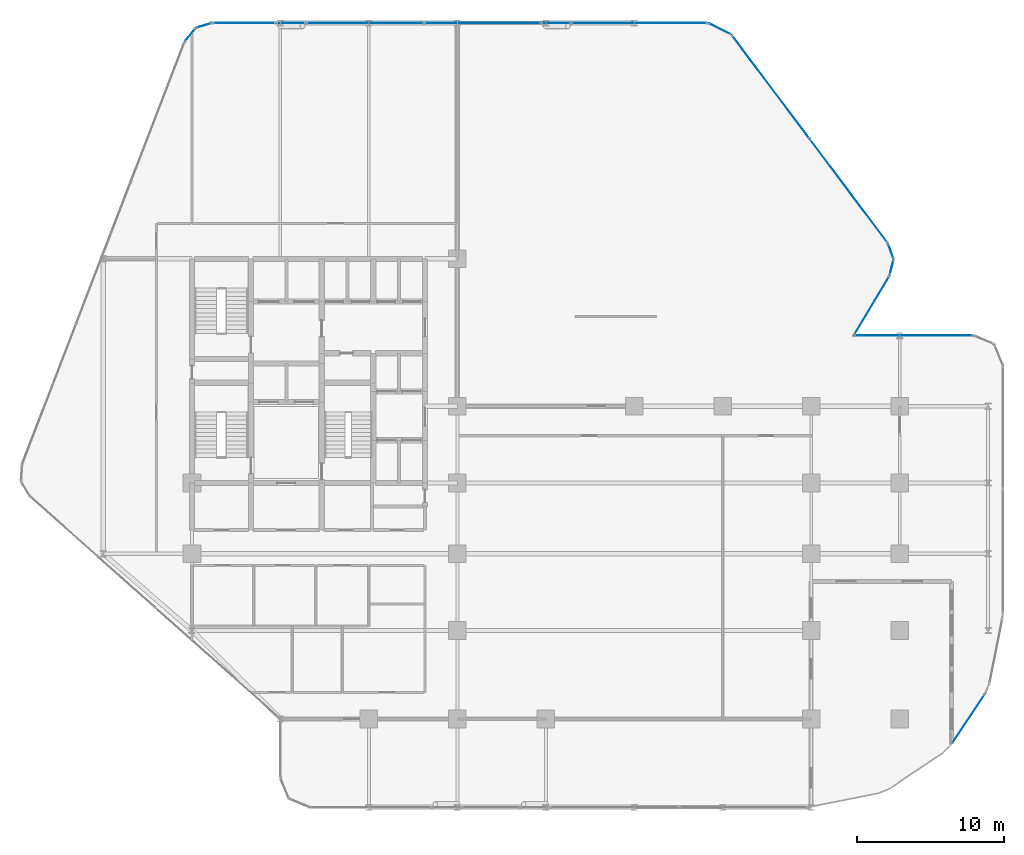
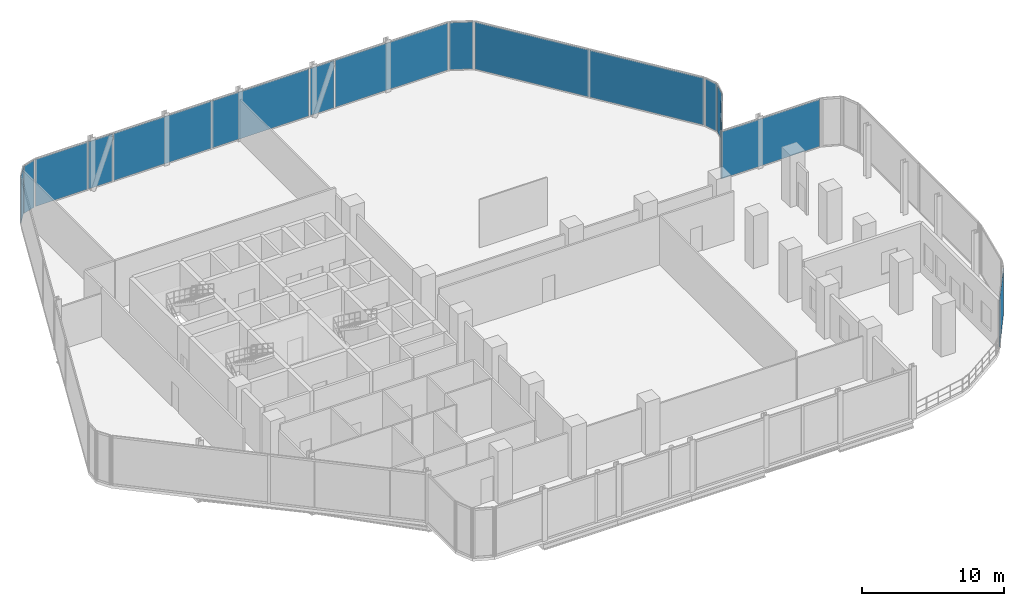
# One storey, part 24 of 30: 16 plates, 14 elements without a shape of their own.
"""IFC4 building model written with IfcOpenShell, lengths in metres."""

from ifc_helpers import new_model, si_unit, direction, frame, origin, origin_2d, place, context, subcontext, project, spatial, rectangle, extrude, material, layer, layer_set, type_object, element, aggregate, save


model = new_model("IFC4")

# Units and contexts
model_context = context("Model", 3, precision=1e-05, world=origin(), true_north=direction((0.0, 1.0)))
body_context = subcontext(model_context, "Body", "Model", "MODEL_VIEW")
ifc_project = project(units=[si_unit("LENGTHUNIT", "METRE"), si_unit("AREAUNIT", "SQUARE_METRE"), si_unit("VOLUMEUNIT", "CUBIC_METRE"), si_unit("PLANEANGLEUNIT", "RADIAN"), si_unit("MASSUNIT", "GRAM", prefix="KILO")], contexts=[model_context])

# Site, building, storey
site_placement = place(None, origin())
site = spatial("IfcSite", under=ifc_project, at=site_placement, CompositionType="ELEMENT")
building_placement = place(site_placement, origin())
building = spatial("IfcBuilding", under=site, at=building_placement, Name="Keshet Zoharim Tower", CompositionType="ELEMENT")
storey_placement = place(building_placement, frame((0.0, 0.0, 65.60009765625)))
storey = spatial("IfcBuildingStorey", under=building, at=storey_placement, Name="L15", CompositionType="ELEMENT", Elevation=65.60009765625)

# Curtain wall, plate
ifc_material_1 = material(Name="Aluminium 6063-T6", Category="aluminium")
ifc_layer_1 = layer(ifc_material_1, 0.179931640625)
ifc_layer_set_1 = layer_set([ifc_layer_1], Name="Aluminium 6063-T6")
curtain_wall_type_1 = type_object("IfcCurtainWallType", Name="CW-SYS-01", PredefinedType="NOTDEFINED", material=ifc_layer_set_1)
curtain_wall_1_placement = place(storey_placement, origin())
curtain_wall_1 = element("IfcCurtainWall", 1, at=curtain_wall_1_placement, inside=storey, type_object=curtain_wall_type_1, Name="L15 Unitised Curtain Wall 02", PredefinedType="NOTDEFINED")
ifc_material_2 = material(Name="Insulated Low-E Clear Glass", Category="glass")
ifc_layer_2 = layer(ifc_material_2, 0.035888671875)
ifc_layer_set_2 = layer_set([ifc_layer_2], Name="Insulated Low-E Clear Glass")
plate_type_1 = type_object("IfcPlateType", Name="CWP-01", PredefinedType="CURTAIN_PANEL", material=ifc_layer_set_2)
plate_1_placement = place(storey_placement, frame((14.8740234375, 53.08349609375, 0.06982421875), z_axis=(0.0, 0.0, 1.0), x_axis=(0.619124525989, 0.785292825205, 0.0)))
plate_1 = element("IfcPlate", 2, at=plate_1_placement, type_object=plate_type_1, Name="CW-01 panel 1.1", PredefinedType="CURTAIN_PANEL", context=body_context, shape_type="SweptSolid", body=[
    extrude(rectangle(XDim=1.045654296875, YDim=0.035888671875, at=origin_2d()), origin(), (0.0, 0.0, 1.0), 4.044921875),
])
aggregate(curtain_wall_1, [plate_1])

curtain_wall_2_placement = place(storey_placement, origin())
curtain_wall_2 = element("IfcCurtainWall", 3, at=curtain_wall_2_placement, inside=storey, type_object=curtain_wall_type_1, Name="L15 Unitised Curtain Wall 03", PredefinedType="NOTDEFINED")
plate_2_placement = place(storey_placement, frame((15.8076171875, 53.724609375, 0.06982421875), z_axis=(0.0, 0.0, 1.0), x_axis=(0.955212151288, 0.295921857984, 0.0)))
plate_2 = element("IfcPlate", 4, at=plate_2_placement, type_object=plate_type_1, Name="CW-01 panel 1.1", PredefinedType="CURTAIN_PANEL", context=body_context, shape_type="SweptSolid", body=[
    extrude(rectangle(XDim=1.046142578125, YDim=0.035888671875, at=origin_2d()), origin(), (0.0, 0.0, 1.0), 4.044921875),
])
aggregate(curtain_wall_2, [plate_2])

curtain_wall_3_placement = place(storey_placement, origin())
curtain_wall_3 = element("IfcCurtainWall", 5, at=curtain_wall_3_placement, inside=storey, type_object=curtain_wall_type_1, Name="L15 Unitised Curtain Wall 09", PredefinedType="NOTDEFINED")
plate_3_placement = place(storey_placement, frame((61.093994140625, 34.723388671875, 0.06982421875), z_axis=(0.0, 0.0, 1.0), x_axis=(-0.51446459506, -0.857511621163, 0.0)))
plate_3 = element("IfcPlate", 6, at=plate_3_placement, type_object=plate_type_1, Name="CW-01 panel 1.1", PredefinedType="CURTAIN_PANEL", context=body_context, shape_type="SweptSolid", body=[
    extrude(rectangle(XDim=4.57958984375, YDim=0.035888671875, at=origin_2d()), origin(), (0.0, 0.0, 1.0), 4.044921875),
])
aggregate(curtain_wall_3, [plate_3])

curtain_wall_4_placement = place(storey_placement, origin())
curtain_wall_4 = element("IfcCurtainWall", 7, at=curtain_wall_4_placement, inside=storey, type_object=curtain_wall_type_1, Name="L15 Unitised Curtain Wall 18", PredefinedType="NOTDEFINED")
plate_4_placement = place(storey_placement, frame((67.654541015625, 6.696044921875, 0.06982421875), z_axis=(0.0, 0.0, 1.0), x_axis=(-0.555547439897, -0.831484841728, 0.0)))
plate_4 = element("IfcPlate", 8, at=plate_4_placement, type_object=plate_type_1, Name="CW-01 panel 1.1", PredefinedType="CURTAIN_PANEL", context=body_context, shape_type="SweptSolid", body=[
    extrude(rectangle(XDim=3.9443359375, YDim=0.035888671875, at=origin_2d()), origin(), (0.0, 0.0, 1.0), 4.044921875),
])
aggregate(curtain_wall_4, [plate_4])

ifc_layer_3 = layer(ifc_material_1, 0.169921875)
ifc_layer_set_3 = layer_set([ifc_layer_3], Name="Aluminium 6063-T6")
curtain_wall_type_2 = type_object("IfcCurtainWallType", Name="CW-SYS-02", PredefinedType="NOTDEFINED", material=ifc_layer_set_3)
curtain_wall_5_placement = place(storey_placement, origin())
curtain_wall_5 = element("IfcCurtainWall", 9, at=curtain_wall_5_placement, inside=storey, type_object=curtain_wall_type_2, Name="L15 Unitised Curtain Wall 04", PredefinedType="NOTDEFINED")
ifc_layer_4 = layer(ifc_material_2, 0.031982421875)
ifc_layer_set_4 = layer_set([ifc_layer_4], Name="Insulated Low-E Clear Glass")
plate_type_2 = type_object("IfcPlateType", Name="CWP-02", PredefinedType="CURTAIN_PANEL", material=ifc_layer_set_4)
plate_5_placement = place(storey_placement, frame((18.55322265625, 53.89990234375, 0.06982421875), z_axis=(0.0, 0.0, 1.0), x_axis=(1.0, 0.0, 0.0)))
plate_5 = element("IfcPlate", 10, at=plate_5_placement, type_object=plate_type_2, Name="CW-02 panel 1.1", PredefinedType="CURTAIN_PANEL", context=body_context, shape_type="SweptSolid", body=[
    extrude(rectangle(XDim=4.218505859375, YDim=0.031982421875, at=origin_2d()), origin(), (0.0, 0.0, 1.0), 4.044921875),
])
aggregate(curtain_wall_5, [plate_5])

# Curtain wall, plates
curtain_wall_6_placement = place(storey_placement, origin())
curtain_wall_6 = element("IfcCurtainWall", 11, at=curtain_wall_6_placement, inside=storey, type_object=curtain_wall_type_2, Name="L15 Unitised Curtain Wall 04 Part 3", PredefinedType="NOTDEFINED")
plate_6_placement = place(storey_placement, frame((26.7412109375, 53.89990234375, 0.06982421875), z_axis=(0.0, 0.0, 1.0), x_axis=(1.0, 0.0, 0.0)))
plate_6 = element("IfcPlate", 12, at=plate_6_placement, type_object=plate_type_2, Name="CW-02 panel 1.1", PredefinedType="CURTAIN_PANEL", context=body_context, shape_type="SweptSolid", body=[
    extrude(rectangle(XDim=7.947509765625, YDim=0.031982421875, at=origin_2d()), origin(), (0.0, 0.0, 1.0), 4.044921875),
])
plate_7_placement = place(storey_placement, frame((34.723876953125, 53.89990234375, 0.06982421875), z_axis=(0.0, 0.0, 1.0), x_axis=(1.0, 0.0, 0.0)))
plate_7 = element("IfcPlate", 13, at=plate_7_placement, type_object=plate_type_2, Name="CW-02 panel 2.1", PredefinedType="CURTAIN_PANEL", context=body_context, shape_type="SweptSolid", body=[
    extrude(rectangle(XDim=7.877685546875, YDim=0.031982421875, at=origin_2d()), origin(), (0.0, 0.0, 1.0), 4.044921875),
])
aggregate(curtain_wall_6, [plate_6, plate_7])

# Curtain wall, plate
curtain_wall_7_placement = place(storey_placement, origin())
curtain_wall_7 = element("IfcCurtainWall", 14, at=curtain_wall_7_placement, inside=storey, type_object=curtain_wall_type_2, Name="L15 Unitised Curtain Wall 04 Part 5", PredefinedType="NOTDEFINED")
plate_8_placement = place(storey_placement, frame((45.3486328125, 53.89990234375, 0.06982421875), z_axis=(0.0, 0.0, 1.0), x_axis=(1.0, 0.0, 0.0)))
plate_8 = element("IfcPlate", 15, at=plate_8_placement, type_object=plate_type_2, Name="CW-02 panel 1.1", PredefinedType="CURTAIN_PANEL", context=body_context, shape_type="SweptSolid", body=[
    extrude(rectangle(XDim=9.16259765625, YDim=0.031982421875, at=origin_2d()), origin(), (0.0, 0.0, 1.0), 4.044921875),
])
aggregate(curtain_wall_7, [plate_8])

curtain_wall_8_placement = place(storey_placement, origin())
curtain_wall_8 = element("IfcCurtainWall", 16, at=curtain_wall_8_placement, inside=storey, type_object=curtain_wall_type_2, Name="L15 Unitised Curtain Wall 05", PredefinedType="NOTDEFINED")
plate_9_placement = place(storey_placement, frame((50.800048828125, 53.5, 0.06982421875), z_axis=(0.0, 0.0, 1.0), x_axis=(0.894427191001, -0.447213595499, 0.0)))
plate_9 = element("IfcPlate", 17, at=plate_9_placement, type_object=plate_type_2, Name="CW-02 panel 1.1", PredefinedType="CURTAIN_PANEL", context=body_context, shape_type="SweptSolid", body=[
    extrude(rectangle(XDim=1.64892578125, YDim=0.031982421875, at=origin_2d()), origin(), (0.0, 0.0, 1.0), 4.044921875),
])
aggregate(curtain_wall_8, [plate_9])

# Curtain wall, plates
curtain_wall_9_placement = place(storey_placement, origin())
curtain_wall_9 = element("IfcCurtainWall", 18, at=curtain_wall_9_placement, inside=storey, type_object=curtain_wall_type_2, Name="L15 Unitised Curtain Wall 06", PredefinedType="NOTDEFINED")
plate_10_placement = place(storey_placement, frame((54.2587890625, 49.554931640625, 0.06982421875), z_axis=(0.0, 0.0, 1.0), x_axis=(0.600000000002, -0.799999999998, 0.0)))
plate_10 = element("IfcPlate", 19, at=plate_10_placement, type_object=plate_type_2, Name="CW-02 panel 1.1", PredefinedType="CURTAIN_PANEL", context=body_context, shape_type="SweptSolid", body=[
    extrude(rectangle(XDim=8.722412109375, YDim=0.031982421875, at=origin_2d()), origin(), (0.0, 0.0, 1.0), 4.044921875),
])
plate_11_placement = place(storey_placement, frame((59.5341796875, 42.52099609375, 0.06982421875), z_axis=(0.0, 0.0, 1.0), x_axis=(0.600000000002, -0.799999999998, 0.0)))
plate_11 = element("IfcPlate", 20, at=plate_11_placement, type_object=plate_type_2, Name="CW-02 panel 2.1", PredefinedType="CURTAIN_PANEL", context=body_context, shape_type="SweptSolid", body=[
    extrude(rectangle(XDim=8.722412109375, YDim=0.031982421875, at=origin_2d()), origin(), (0.0, 0.0, 1.0), 4.044921875),
])
aggregate(curtain_wall_9, [plate_10, plate_11])

# Curtain wall, plate
curtain_wall_10_placement = place(storey_placement, origin())
curtain_wall_10 = element("IfcCurtainWall", 21, at=curtain_wall_10_placement, inside=storey, type_object=curtain_wall_type_2, Name="L15 Unitised Curtain Wall 07", PredefinedType="NOTDEFINED")
plate_12_placement = place(storey_placement, frame((62.3916015625, 38.427490234375, 0.06982421875), z_axis=(0.0, 0.0, 1.0), x_axis=(0.340297354046, -0.940317877544, 0.0)))
plate_12 = element("IfcPlate", 22, at=plate_12_placement, type_object=plate_type_2, Name="CW-02 panel 1.1", PredefinedType="CURTAIN_PANEL", context=body_context, shape_type="SweptSolid", body=[
    extrude(rectangle(XDim=1.026611328125, YDim=0.031982421875, at=origin_2d()), origin(), (0.0, 0.0, 1.0), 4.044921875),
])
aggregate(curtain_wall_10, [plate_12])

curtain_wall_11_placement = place(storey_placement, origin())
curtain_wall_11 = element("IfcCurtainWall", 23, at=curtain_wall_11_placement, inside=storey, type_object=curtain_wall_type_2, Name="L15 Unitised Curtain Wall 08", PredefinedType="NOTDEFINED")
plate_13_placement = place(storey_placement, frame((62.448974609375, 37.31298828125, 0.06982421875), z_axis=(0.0, 0.0, 1.0), x_axis=(-0.241728770141, -0.970343857447, 0.0)))
plate_13 = element("IfcPlate", 24, at=plate_13_placement, type_object=plate_type_2, Name="CW-02 panel 1.1", PredefinedType="CURTAIN_PANEL", context=body_context, shape_type="SweptSolid", body=[
    extrude(rectangle(XDim=1.026611328125, YDim=0.031982421875, at=origin_2d()), origin(), (0.0, 0.0, 1.0), 4.044921875),
])
aggregate(curtain_wall_11, [plate_13])

curtain_wall_12_placement = place(storey_placement, origin())
curtain_wall_12 = element("IfcCurtainWall", 25, at=curtain_wall_12_placement, inside=storey, type_object=curtain_wall_type_2, Name="L15 Unitised Curtain Wall 10", PredefinedType="NOTDEFINED")
plate_14_placement = place(storey_placement, frame((63.93994140625, 32.699951171875, 0.06982421875), z_axis=(0.0, 0.0, 1.0), x_axis=(1.0, 0.0, 0.0)))
plate_14 = element("IfcPlate", 26, at=plate_14_placement, type_object=plate_type_2, Name="CW-02 panel 1.1", PredefinedType="CURTAIN_PANEL", context=body_context, shape_type="SweptSolid", body=[
    extrude(rectangle(XDim=7.97998046875, YDim=0.031982421875, at=origin_2d()), origin(), (0.0, 0.0, 1.0), 4.044921875),
])
aggregate(curtain_wall_12, [plate_14])

curtain_wall_13_placement = place(storey_placement, origin())
curtain_wall_13 = element("IfcCurtainWall", 27, at=curtain_wall_13_placement, inside=storey, type_object=curtain_wall_type_2, Name="L15 Unitised Curtain Wall 04 Part 2", PredefinedType="NOTDEFINED")
ifc_material_3 = material(Name="Insulated Aluminium Spandrel Panel", Category="aluminium")
ifc_layer_5 = layer(ifc_material_3, 0.031982421875)
ifc_layer_set_5 = layer_set([ifc_layer_5], Name="Insulated Aluminium Spandrel Panel")
plate_type_3 = type_object("IfcPlateType", Name="CWP-05", PredefinedType="CURTAIN_PANEL", material=ifc_layer_set_5)
plate_15_placement = place(storey_placement, frame((21.715087890625, 53.89990234375, 0.06982421875), z_axis=(0.0, 0.0, 1.0), x_axis=(1.0, 0.0, 0.0)))
plate_15 = element("IfcPlate", 28, at=plate_15_placement, type_object=plate_type_3, Name="CW-02 spandrel panel 1.1", PredefinedType="CURTAIN_PANEL", context=body_context, shape_type="SweptSolid", body=[
    extrude(rectangle(XDim=1.96484375, YDim=0.031982421875, at=origin_2d()), origin(), (0.0, 0.0, 1.0), 4.044921875),
])
aggregate(curtain_wall_13, [plate_15])

curtain_wall_14_placement = place(storey_placement, origin())
curtain_wall_14 = element("IfcCurtainWall", 29, at=curtain_wall_14_placement, inside=storey, type_object=curtain_wall_type_2, Name="L15 Unitised Curtain Wall 04 Part 4", PredefinedType="NOTDEFINED")
plate_16_placement = place(storey_placement, frame((39.715087890625, 53.89990234375, 0.06982421875), z_axis=(0.0, 0.0, 1.0), x_axis=(1.0, 0.0, 0.0)))
plate_16 = element("IfcPlate", 30, at=plate_16_placement, type_object=plate_type_3, Name="CW-02 spandrel panel 1.1", PredefinedType="CURTAIN_PANEL", context=body_context, shape_type="SweptSolid", body=[
    extrude(rectangle(XDim=1.96484375, YDim=0.031982421875, at=origin_2d()), origin(), (0.0, 0.0, 1.0), 4.044921875),
])
aggregate(curtain_wall_14, [plate_16])

save(model, "model.ifc")
